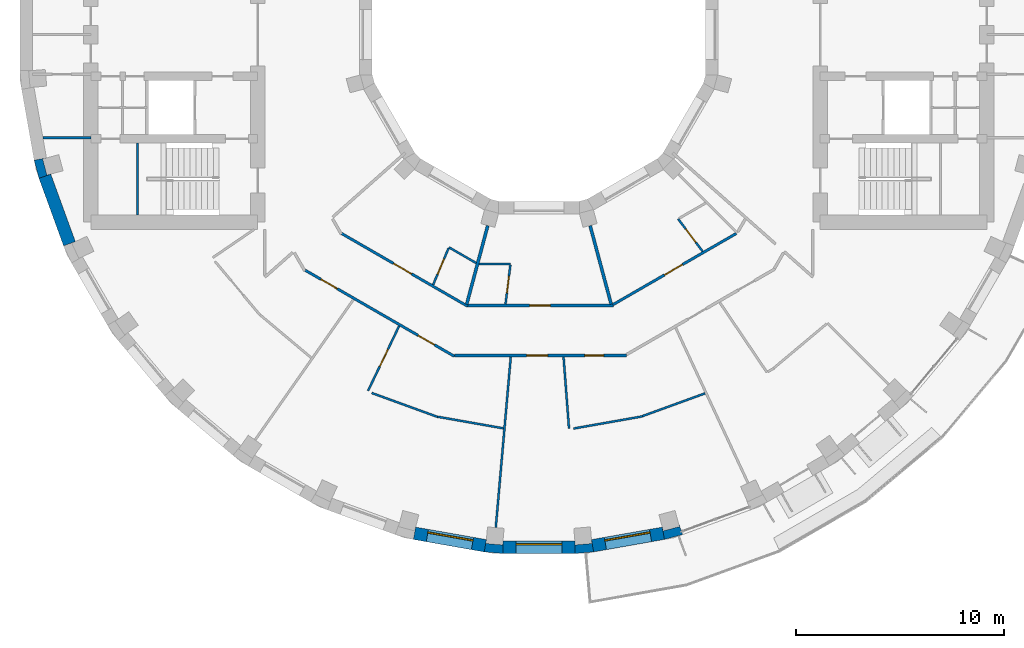
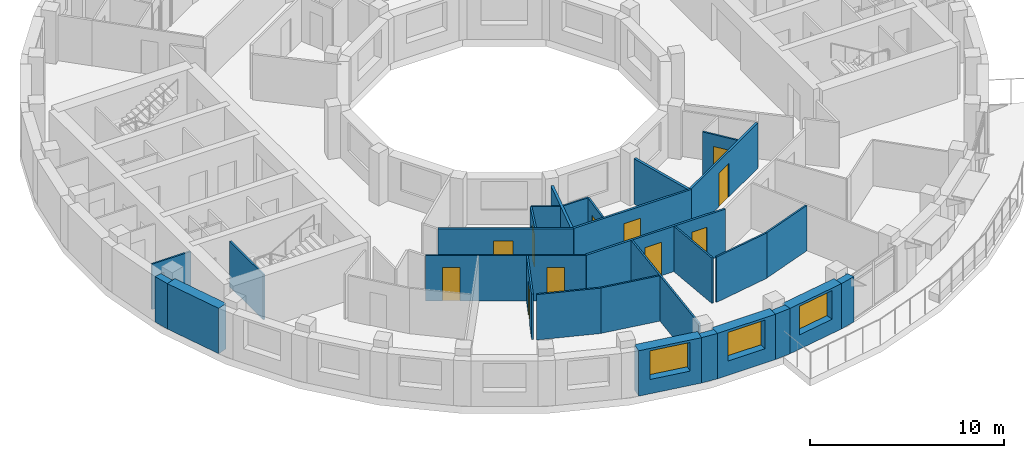
# One storey, part 6 of 15: 29 walls, 11 doors, 3 windows, 14 openings.
"""IFC4 building model written with IfcOpenShell, lengths in metres."""

from ifc_helpers import new_model, si_unit, direction, frame, frame_2d, origin, place, context, subcontext, project, spatial, polyline, rectangle, outline, extrude, material, layer, layer_set, type_object, element, fill, save


model = new_model("IFC4")

# Units and contexts
model_context = context("Model", 3, precision=1e-05, world=origin(), true_north=direction((0.0, 1.0)))
body_context = subcontext(model_context, "Body", "Model", "MODEL_VIEW")
ifc_project = project(units=[si_unit("LENGTHUNIT", "METRE"), si_unit("AREAUNIT", "SQUARE_METRE"), si_unit("VOLUMEUNIT", "CUBIC_METRE"), si_unit("PLANEANGLEUNIT", "RADIAN"), si_unit("MASSUNIT", "GRAM", prefix="KILO")], contexts=[model_context])

# Site, building, storey
site_placement = place(None, origin())
site = spatial("IfcSite", under=ifc_project, at=site_placement, CompositionType="ELEMENT")
building_placement = place(site_placement, origin())
building = spatial("IfcBuilding", under=site, at=building_placement, Name="Saqina Gate Tower", CompositionType="ELEMENT")
storey_placement = place(building_placement, frame((0.0, 0.0, 164.10009765625)))
storey = spatial("IfcBuildingStorey", under=building, at=storey_placement, Name="L46", CompositionType="ELEMENT", Elevation=164.10009765625)

# Walls
ifc_material_1 = material(Name="Brick masonry (buff)", Category="masonry")
wall_type_1 = type_object("IfcWallType", Name="BRICK PIER COPING BUFF", PredefinedType="SOLIDWALL", material=ifc_material_1)
wall_1_placement = place(storey_placement, origin())
element("IfcWall", 1, at=wall_1_placement, inside=storey, type_object=wall_type_1, Name="Pier cap L46 column 20", PredefinedType="SOLIDWALL", context=body_context, shape_type="SweptSolid", body=[
    extrude(outline(polyline([(-24.22705078125, -6.0234375), (-23.992919921875, -6.897216796875), (-23.428955078125, -6.69189453125), (-23.610107421875, -6.740478515625), (-23.81689453125, -5.967529296875), (-23.635986328125, -5.919189453125), (-24.22705078125, -6.0234375)])), origin(), (0.0, 0.0, 1.0), 2.849853515625),
])
wall_2_placement = place(storey_placement, origin())
element("IfcWall", 2, at=wall_2_placement, inside=storey, type_object=wall_type_1, Name="Pier cap L46 column 27", PredefinedType="SOLIDWALL", context=body_context, shape_type="SweptSolid", body=[
    extrude(outline(polyline([(-2.6259765625, -24.825927734375), (-1.724853515625, -24.90478515625), (-1.724853515625, -24.304931640625), (-1.7412109375, -24.491455078125), (-2.5380859375, -24.421630859375), (-2.521728515625, -24.235107421875), (-2.6259765625, -24.825927734375)])), origin(), (0.0, 0.0, 1.0), 2.849853515625),
])
wall_3_placement = place(storey_placement, origin())
element("IfcWall", 3, at=wall_3_placement, inside=storey, type_object=wall_type_1, Name="Pier cap L46 column 28", PredefinedType="SOLIDWALL", context=body_context, shape_type="SweptSolid", body=[
    extrude(outline(polyline([(1.724853515625, -24.90478515625), (2.6259765625, -24.825927734375), (2.521728515625, -24.235107421875), (2.5380859375, -24.421630859375), (1.7412109375, -24.491455078125), (1.724853515625, -24.304931640625), (1.724853515625, -24.90478515625)])), origin(), (0.0, 0.0, 1.0), 2.849853515625),
])
wall_4_placement = place(storey_placement, origin())
element("IfcWall", 4, at=wall_4_placement, inside=storey, type_object=wall_type_1, Name="Pier cap L46 column 29", PredefinedType="SOLIDWALL", context=body_context, shape_type="SweptSolid", body=[
    extrude(outline(polyline([(6.0234375, -24.22705078125), (6.897216796875, -23.992919921875), (6.69189453125, -23.428955078125), (6.740478515625, -23.610107421875), (5.967529296875, -23.81689453125), (5.919189453125, -23.635986328125), (6.0234375, -24.22705078125)])), origin(), (0.0, 0.0, 1.0), 2.849853515625),
])
ifc_material_2 = material(Name="Gypsum board on steel studs", Category="steel")
ifc_layer_1 = layer(ifc_material_2, 0.10009765625)
ifc_layer_set_1 = layer_set([ifc_layer_1], Name="CORE PARTITION")
wall_type_2 = type_object("IfcWallType", Name="CORE PARTITION", PredefinedType="PARTITIONING", material=ifc_layer_set_1)
wall_5_placement = place(storey_placement, frame((-21.5, -4.949951171875, 0.0), z_axis=(0.0, 0.0, 1.0), x_axis=(-1.0, 0.0, 0.0)))
element("IfcWall", 5, at=wall_5_placement, inside=storey, type_object=wall_type_2, Name="L46-CP-W03", PredefinedType="PARTITIONING", context=body_context, shape_type="SweptSolid", body=[
    extrude(rectangle(XDim=2.306884765625, YDim=0.10009765625, at=frame_2d((1.1533203125, 0.0))), origin(), (0.0, 0.0, 1.0), 2.849853515625),
])

# Wall, opening, window
ifc_material_3 = material(Name="Brick masonry (buff)", Category="masonry")
ifc_layer_2 = layer(ifc_material_3, 0.60009765625)
ifc_layer_set_2 = layer_set([ifc_layer_2], Name="FW-BRICK-BUFF")
wall_type_3 = type_object("IfcWallType", Name="FW-BRICK-BUFF", PredefinedType="SOLIDWALL", material=ifc_layer_set_2)
wall_6_placement = place(storey_placement, frame((-5.97119140625, -23.931640625, 0.0), z_axis=(0.0, 0.0, 1.0), x_axis=(0.984814892183, -0.173607684551, 0.0)))
wall_6 = element("IfcWall", 6, at=wall_6_placement, inside=storey, type_object=wall_type_3, Name="Facade wall L46 facet 26", PredefinedType="SOLIDWALL", context=body_context, shape_type="SweptSolid", body=[
    extrude(rectangle(XDim=3.44970703125, YDim=0.60009765625, at=frame_2d((1.724853515625, 0.0))), origin(), (0.0, 0.0, 1.0), 2.849853515625),
])
opening_1_placement = place(wall_6_placement, frame((0.625, 0.0, 0.89990234375)))
opening_1 = element("IfcOpeningElement", 7, at=opening_1_placement, cuts=wall_6, Name="Opening G13-W19", PredefinedType="OPENING", context=body_context, shape_type="SweptSolid", body=[
    extrude(rectangle(XDim=2.199951171875, YDim=1.800048828125, at=frame_2d((1.10009765625, 0.89990234375))), frame((0.0, 0.31201171875, 0.0), z_axis=(0.0, -1.0, 0.0), x_axis=(1.0, 0.0, 0.0)), (0.0, 0.0, 1.0), 0.6240234375),
])
ifc_material_4 = material(Name="Aluminium glazing", Category="aluminium")
window_type = type_object("IfcWindowType", Name="WN-C", PartitioningType="SINGLE_PANEL", PredefinedType="WINDOW", material=ifc_material_4)
window_1_placement = place(opening_1_placement, origin())
window_1 = element("IfcWindow", 8, at=window_1_placement, inside=storey, type_object=window_type, Name="Window L46 facet 26", OverallHeight=1.800048828125, OverallWidth=2.199951171875, PartitioningType="SINGLE_PANEL", PredefinedType="WINDOW", context=body_context, shape_type="SweptSolid", body=[
    extrude(rectangle(XDim=2.199951171875, YDim=1.800048828125, at=frame_2d((1.10009765625, 0.89990234375))), frame((0.0, 0.179931640625, 0.0), z_axis=(0.0, -1.0, 0.0), x_axis=(1.0, 0.0, 0.0)), (0.0, 0.0, 1.0), 0.06005859375),
])
fill(opening_1, window_1)

wall_7_placement = place(storey_placement, frame((-1.724853515625, -24.60498046875, 0.0), z_axis=(0.0, 0.0, 1.0), x_axis=(1.0, 0.0, 0.0)))
wall_7 = element("IfcWall", 9, at=wall_7_placement, inside=storey, type_object=wall_type_3, Name="Facade wall L46 facet 27", PredefinedType="SOLIDWALL", context=body_context, shape_type="SweptSolid", body=[
    extrude(rectangle(XDim=3.44970703125, YDim=0.60009765625, at=frame_2d((1.724853515625, 0.0))), origin(), (0.0, 0.0, 1.0), 2.849853515625),
])
opening_2_placement = place(wall_7_placement, frame((0.625, 0.0, 0.89990234375)))
opening_2 = element("IfcOpeningElement", 10, at=opening_2_placement, cuts=wall_7, Name="Opening G13-W20", PredefinedType="OPENING", context=body_context, shape_type="SweptSolid", body=[
    extrude(rectangle(XDim=2.199951171875, YDim=1.800048828125, at=frame_2d((1.10009765625, 0.89990234375))), frame((0.0, 0.31201171875, 0.0), z_axis=(0.0, -1.0, 0.0), x_axis=(1.0, 0.0, 0.0)), (0.0, 0.0, 1.0), 0.6240234375),
])
window_2_placement = place(opening_2_placement, origin())
window_2 = element("IfcWindow", 11, at=window_2_placement, inside=storey, type_object=window_type, Name="Window L46 facet 27", OverallHeight=1.800048828125, OverallWidth=2.199951171875, PartitioningType="SINGLE_PANEL", PredefinedType="WINDOW", context=body_context, shape_type="SweptSolid", body=[
    extrude(rectangle(XDim=2.199951171875, YDim=1.800048828125, at=frame_2d((1.10009765625, 0.89990234375))), frame((0.0, 0.179931640625, 0.0), z_axis=(0.0, -1.0, 0.0), x_axis=(1.0, 0.0, 0.0)), (0.0, 0.0, 1.0), 0.06005859375),
])
fill(opening_2, window_2)

wall_8_placement = place(storey_placement, frame((2.573974609375, -24.530517578125, 0.0), z_axis=(0.0, 0.0, 1.0), x_axis=(0.984814892183, 0.173607684551, 0.0)))
wall_8 = element("IfcWall", 12, at=wall_8_placement, inside=storey, type_object=wall_type_3, Name="Facade wall L46 facet 28", PredefinedType="SOLIDWALL", context=body_context, shape_type="SweptSolid", body=[
    extrude(rectangle(XDim=3.44970703125, YDim=0.60009765625, at=frame_2d((1.724853515625, 0.0))), origin(), (0.0, 0.0, 1.0), 2.849853515625),
])
opening_3_placement = place(wall_8_placement, frame((0.625, 0.0, 0.89990234375)))
opening_3 = element("IfcOpeningElement", 13, at=opening_3_placement, cuts=wall_8, Name="Opening G13-W21", PredefinedType="OPENING", context=body_context, shape_type="SweptSolid", body=[
    extrude(rectangle(XDim=2.199951171875, YDim=1.800048828125, at=frame_2d((1.10009765625, 0.89990234375))), frame((0.0, 0.31201171875, 0.0), z_axis=(0.0, -1.0, 0.0), x_axis=(1.0, 0.0, 0.0)), (0.0, 0.0, 1.0), 0.6240234375),
])
window_3_placement = place(opening_3_placement, origin())
window_3 = element("IfcWindow", 14, at=window_3_placement, inside=storey, type_object=window_type, Name="Window L46 facet 28", OverallHeight=1.800048828125, OverallWidth=2.199951171875, PartitioningType="SINGLE_PANEL", PredefinedType="WINDOW", context=body_context, shape_type="SweptSolid", body=[
    extrude(rectangle(XDim=2.199951171875, YDim=1.800048828125, at=frame_2d((1.10009765625, 0.89990234375))), frame((0.0, 0.179931640625, 0.0), z_axis=(0.0, -1.0, 0.0), x_axis=(1.0, 0.0, 0.0)), (0.0, 0.0, 1.0), 0.06005859375),
])
fill(opening_3, window_3)

# Walls
ifc_material_5 = material(Name="Glazed ceramic tile (dark blue)", Category="ceramic")
ifc_layer_3 = layer(ifc_material_5, 0.60009765625)
ifc_layer_set_3 = layer_set([ifc_layer_3], Name="FW-TILE-CB")
wall_type_4 = type_object("IfcWallType", Name="FW-TILE-CB", PredefinedType="SOLIDWALL", material=ifc_layer_set_3)
wall_9_placement = place(storey_placement, frame((-23.7109375, -6.79443359375, 0.0), z_axis=(0.0, 0.0, 1.0), x_axis=(0.342032843455, -0.93968799822, 0.0)))
element("IfcWall", 15, at=wall_9_placement, inside=storey, type_object=wall_type_4, Name="Facade wall L46 facet 20", PredefinedType="SOLIDWALL", context=body_context, shape_type="SweptSolid", body=[
    extrude(rectangle(XDim=3.44970703125, YDim=0.60009765625, at=frame_2d((1.724853515625, 0.0))), origin(), (0.0, 0.0, 1.0), 2.849853515625),
])
ifc_material_6 = material(Name="Gypsum board on steel studs, 100 mm", Category="steel")
ifc_layer_4 = layer(ifc_material_6, 0.10009765625)
ifc_layer_set_4 = layer_set([ifc_layer_4], Name="PARTITION 100")
wall_type_5 = type_object("IfcWallType", Name="PARTITION 100", PredefinedType="PARTITIONING", material=ifc_layer_set_4)
wall_10_placement = place(storey_placement, frame((1.1806640625, -15.46240234375, 0.0), z_axis=(0.0, 0.0, 1.0), x_axis=(0.07601515228, -0.997106662611, 0.0)))
element("IfcWall", 16, at=wall_10_placement, inside=storey, type_object=wall_type_5, Name="PARTITION PW3-02", PredefinedType="PARTITIONING", context=body_context, shape_type="SweptSolid", body=[
    extrude(rectangle(XDim=3.45263671875, YDim=0.10009765625, at=frame_2d((1.726318359375, 0.0))), origin(), (0.0, 0.0, 1.0), 2.849853515625),
])

# Wall, opening, door
wall_11_placement = place(storey_placement, frame((6.680908203125, -8.843994140625, 0.0), z_axis=(0.0, 0.0, 1.0), x_axis=(0.602656270697, -0.798000889341, 0.0)))
wall_11 = element("IfcWall", 17, at=wall_11_placement, inside=storey, type_object=wall_type_5, Name="PARTITION PW3-14", PredefinedType="PARTITIONING", context=body_context, shape_type="SweptSolid", body=[
    extrude(rectangle(XDim=1.953369140625, YDim=0.10009765625, at=frame_2d((0.9765625, 0.0))), origin(), (0.0, 0.0, 1.0), 2.849853515625),
])
opening_4_placement = place(wall_11_placement, frame((0.608154296875, 0.0, 0.0)))
opening_4 = element("IfcOpeningElement", 18, at=opening_4_placement, cuts=wall_11, Name="Opening G13-D39", PredefinedType="OPENING", context=body_context, shape_type="SweptSolid", body=[
    extrude(rectangle(XDim=0.800048828125, YDim=2.10009765625, at=frame_2d((0.39990234375, 1.050048828125))), frame((0.0, 0.06201171875, 0.0), z_axis=(0.0, -1.0, 0.0), x_axis=(1.0, 0.0, 0.0)), (0.0, 0.0, 1.0), 0.1240234375),
])
ifc_material_7 = material(Name="Timber door leaf, 800 mm", Category="wood")
door_type_1 = type_object("IfcDoorType", Name="DOOR 800 TIMBER", OperationType="SINGLE_SWING_LEFT", PredefinedType="DOOR", material=ifc_material_7)
door_1_placement = place(opening_4_placement, frame((0.800048828125, 0.0, 0.0), z_axis=(0.0, 0.0, 1.0), x_axis=(-1.0, 0.0, 0.0)))
door_1 = element("IfcDoor", 19, at=door_1_placement, inside=storey, type_object=door_type_1, Name="DOOR G13-D39", OperationType="SINGLE_SWING_LEFT", OverallHeight=2.10009765625, OverallWidth=0.800048828125, PredefinedType="DOOR", context=body_context, shape_type="SweptSolid", body=[
    extrude(rectangle(XDim=0.800048828125, YDim=2.10009765625, at=frame_2d((0.39990234375, 1.050048828125))), frame((0.0, 0.02490234375, 0.0), z_axis=(0.0, -1.0, 0.0), x_axis=(1.0, 0.0, 0.0)), (0.0, 0.0, 1.0), 0.050048828125),
])
fill(opening_4, door_1)

# Walls
wall_12_placement = place(storey_placement, frame((-4.319091796875, -10.2080078125, 0.0), z_axis=(0.0, 0.0, 1.0), x_axis=(0.866104780601, -0.499862490111, 0.0)))
element("IfcWall", 20, at=wall_12_placement, inside=storey, type_object=wall_type_5, Name="PARTITION PW3-23", PredefinedType="PARTITIONING", context=body_context, shape_type="SweptSolid", body=[
    extrude(rectangle(XDim=1.50927734375, YDim=0.10009765625, at=frame_2d((0.754638671875, 0.0))), origin(), (0.0, 0.0, 1.0), 2.849853515625),
])
wall_13_placement = place(storey_placement, frame((-8.02001953125, -17.198974609375, 0.0), z_axis=(0.0, 0.0, 1.0), x_axis=(0.939708490433, -0.341976538681, 0.0)))
element("IfcWall", 21, at=wall_13_placement, inside=storey, type_object=wall_type_5, Name="PARTITION PW3-27", PredefinedType="PARTITIONING", context=body_context, shape_type="SweptSolid", body=[
    extrude(rectangle(XDim=3.358154296875, YDim=0.10009765625, at=frame_2d((1.67919921875, 0.0))), origin(), (0.0, 0.0, 1.0), 2.849853515625),
])
wall_14_placement = place(storey_placement, frame((-4.86279296875, -18.338623046875, 0.0), z_axis=(0.0, 0.0, 1.0), x_axis=(0.984782026727, -0.173794015534, 0.0)))
element("IfcWall", 22, at=wall_14_placement, inside=storey, type_object=wall_type_5, Name="PARTITION PW3-30", PredefinedType="PARTITIONING", context=body_context, shape_type="SweptSolid", body=[
    extrude(rectangle(XDim=3.20849609375, YDim=0.10009765625, at=frame_2d((1.604248046875, 0.0))), origin(), (0.0, 0.0, 1.0), 2.849853515625),
])
wall_15_placement = place(storey_placement, frame((-2.8720703125, -11.0, 0.0), z_axis=(0.0, 0.0, 1.0), x_axis=(1.0, 0.0, 0.0)))
element("IfcWall", 23, at=wall_15_placement, inside=storey, type_object=wall_type_5, Name="PARTITION PW3-33", PredefinedType="PARTITIONING", context=body_context, shape_type="SweptSolid", body=[
    extrude(rectangle(XDim=1.508056640625, YDim=0.10009765625, at=frame_2d((0.75390625, 0.0))), origin(), (0.0, 0.0, 1.0), 2.849853515625),
])
wall_16_placement = place(storey_placement, frame((1.654052734375, -18.905029296875, 0.0), z_axis=(0.0, 0.0, 1.0), x_axis=(0.984783558818, 0.173785333909, 0.0)))
element("IfcWall", 24, at=wall_16_placement, inside=storey, type_object=wall_type_5, Name="PARTITION PW3-38", PredefinedType="PARTITIONING", context=body_context, shape_type="SweptSolid", body=[
    extrude(rectangle(XDim=3.35888671875, YDim=0.10009765625, at=frame_2d((1.679443359375, 0.0))), origin(), (0.0, 0.0, 1.0), 2.849853515625),
])
wall_17_placement = place(storey_placement, frame((4.958984375, -18.31298828125, 0.0), z_axis=(0.0, 0.0, 1.0), x_axis=(0.939697820391, 0.34200585719, 0.0)))
element("IfcWall", 25, at=wall_17_placement, inside=storey, type_object=wall_type_5, Name="PARTITION PW3-41", PredefinedType="PARTITIONING", context=body_context, shape_type="SweptSolid", body=[
    extrude(rectangle(XDim=3.207275390625, YDim=0.10009765625, at=frame_2d((1.603515625, 0.0))), origin(), (0.0, 0.0, 1.0), 2.849853515625),
])

# Wall, opening, door
wall_18_placement = place(storey_placement, frame((-8.201904296875, -17.093994140625, 0.0), z_axis=(0.0, 0.0, 1.0), x_axis=(0.432471241397, 0.901647727976, 0.0)))
wall_18 = element("IfcWall", 26, at=wall_18_placement, inside=storey, type_object=wall_type_5, Name="PARTITION PW3-56", PredefinedType="PARTITIONING", context=body_context, shape_type="SweptSolid", body=[
    extrude(rectangle(XDim=3.4521484375, YDim=0.10009765625, at=frame_2d((1.72607421875, 0.0))), origin(), (0.0, 0.0, 1.0), 2.849853515625),
])
opening_5_placement = place(wall_18_placement, frame((1.307373046875, 0.0, 0.0)))
opening_5 = element("IfcOpeningElement", 27, at=opening_5_placement, cuts=wall_18, Name="Opening G13-D30", PredefinedType="OPENING", context=body_context, shape_type="SweptSolid", body=[
    extrude(rectangle(XDim=0.89990234375, YDim=2.10009765625, at=frame_2d((0.449951171875, 1.050048828125))), frame((0.0, 0.06201171875, 0.0), z_axis=(0.0, -1.0, 0.0), x_axis=(1.0, 0.0, 0.0)), (0.0, 0.0, 1.0), 0.1240234375),
])
ifc_material_8 = material(Name="Timber door leaf, 900 mm", Category="wood")
door_type_2 = type_object("IfcDoorType", Name="DOOR 900 TIMBER", OperationType="SINGLE_SWING_LEFT", PredefinedType="DOOR", material=ifc_material_8)
door_2_placement = place(opening_5_placement, origin())
door_2 = element("IfcDoor", 28, at=door_2_placement, inside=storey, type_object=door_type_2, Name="DOOR G13-D30", OperationType="SINGLE_SWING_RIGHT", OverallHeight=2.10009765625, OverallWidth=0.89990234375, PredefinedType="DOOR", context=body_context, shape_type="SweptSolid", body=[
    extrude(rectangle(XDim=0.89990234375, YDim=2.10009765625, at=frame_2d((0.449951171875, 1.050048828125))), frame((0.0, 0.02490234375, 0.0), z_axis=(0.0, -1.0, 0.0), x_axis=(1.0, 0.0, 0.0)), (0.0, 0.0, 1.0), 0.050048828125),
])
fill(opening_5, door_2)

wall_19_placement = place(storey_placement, frame((-5.07958984375, -12.00634765625, 0.0), z_axis=(0.0, 0.0, 1.0), x_axis=(0.389593941569, 0.920986732094, 0.0)))
wall_19 = element("IfcWall", 29, at=wall_19_placement, inside=storey, type_object=wall_type_5, Name="PARTITION PW3-58", PredefinedType="PARTITIONING", context=body_context, shape_type="SweptSolid", body=[
    extrude(rectangle(XDim=1.902587890625, YDim=0.10009765625, at=frame_2d((0.951171875, 0.0))), origin(), (0.0, 0.0, 1.0), 2.849853515625),
])
opening_6_placement = place(wall_19_placement, frame((0.545166015625, 0.0, 0.0)))
opening_6 = element("IfcOpeningElement", 30, at=opening_6_placement, cuts=wall_19, Name="Opening G13-D31", PredefinedType="OPENING", context=body_context, shape_type="SweptSolid", body=[
    extrude(rectangle(XDim=0.800048828125, YDim=2.10009765625, at=frame_2d((0.39990234375, 1.050048828125))), frame((0.0, 0.06201171875, 0.0), z_axis=(0.0, -1.0, 0.0), x_axis=(1.0, 0.0, 0.0)), (0.0, 0.0, 1.0), 0.1240234375),
])
door_3_placement = place(opening_6_placement, origin())
door_3 = element("IfcDoor", 31, at=door_3_placement, inside=storey, type_object=door_type_1, Name="DOOR G13-D31", OperationType="SINGLE_SWING_LEFT", OverallHeight=2.10009765625, OverallWidth=0.800048828125, PredefinedType="DOOR", context=body_context, shape_type="SweptSolid", body=[
    extrude(rectangle(XDim=0.800048828125, YDim=2.10009765625, at=frame_2d((0.39990234375, 1.050048828125))), frame((0.0, 0.02490234375, 0.0), z_axis=(0.0, -1.0, 0.0), x_axis=(1.0, 0.0, 0.0)), (0.0, 0.0, 1.0), 0.050048828125),
])
fill(opening_6, door_3)

wall_20_placement = place(storey_placement, frame((-1.604248046875, -12.93798828125, 0.0), z_axis=(0.0, 0.0, 1.0), x_axis=(0.123039852559, 0.992401730491, 0.0)))
wall_20 = element("IfcWall", 32, at=wall_20_placement, inside=storey, type_object=wall_type_5, Name="PARTITION PW3-62", PredefinedType="PARTITIONING", context=body_context, shape_type="SweptSolid", body=[
    extrude(rectangle(XDim=1.90283203125, YDim=0.10009765625, at=frame_2d((0.951416015625, 0.0))), origin(), (0.0, 0.0, 1.0), 2.849853515625),
])
opening_7_placement = place(wall_20_placement, frame((0.545166015625, 0.0, 0.0)))
opening_7 = element("IfcOpeningElement", 33, at=opening_7_placement, cuts=wall_20, Name="Opening G13-D33", PredefinedType="OPENING", context=body_context, shape_type="SweptSolid", body=[
    extrude(rectangle(XDim=0.800048828125, YDim=2.10009765625, at=frame_2d((0.39990234375, 1.050048828125))), frame((0.0, 0.06201171875, 0.0), z_axis=(0.0, -1.0, 0.0), x_axis=(1.0, 0.0, 0.0)), (0.0, 0.0, 1.0), 0.1240234375),
])
door_4_placement = place(opening_7_placement, frame((0.800048828125, 0.0, 0.0), z_axis=(0.0, 0.0, 1.0), x_axis=(-1.0, 0.0, 0.0)))
door_4 = element("IfcDoor", 34, at=door_4_placement, inside=storey, type_object=door_type_1, Name="DOOR G13-D33", OperationType="SINGLE_SWING_RIGHT", OverallHeight=2.10009765625, OverallWidth=0.800048828125, PredefinedType="DOOR", context=body_context, shape_type="SweptSolid", body=[
    extrude(rectangle(XDim=0.800048828125, YDim=2.10009765625, at=frame_2d((0.39990234375, 1.050048828125))), frame((0.0, 0.02490234375, 0.0), z_axis=(0.0, -1.0, 0.0), x_axis=(1.0, 0.0, 0.0)), (0.0, 0.0, 1.0), 0.050048828125),
])
fill(opening_7, door_4)

# Wall
wall_21_placement = place(storey_placement, frame((-2.071044921875, -23.6494140625, 0.0), z_axis=(0.0, 0.0, 1.0), x_axis=(0.087543554658, 0.996160692879, 0.0)))
element("IfcWall", 35, at=wall_21_placement, inside=storey, type_object=wall_type_5, Name="PARTITION PW3-63", PredefinedType="PARTITIONING", context=body_context, shape_type="SweptSolid", body=[
    extrude(rectangle(XDim=8.218505859375, YDim=0.10009765625, at=frame_2d((4.109375, 0.0))), origin(), (0.0, 0.0, 1.0), 2.849853515625),
])

# Wall, openings, doors
ifc_material_9 = material(Name="Gypsum board on steel studs, 125 mm, fire rated", Category="steel")
ifc_layer_5 = layer(ifc_material_9, 0.125)
ifc_layer_set_5 = layer_set([ifc_layer_5], Name="PARTITION EI 30 125")
wall_type_6 = type_object("IfcWallType", Name="PARTITION EI 30 125", PredefinedType="PARTITIONING", material=ifc_layer_set_5)
wall_22_placement = place(storey_placement, frame((-11.219970703125, -11.30517578125, 0.0), z_axis=(0.0, 0.0, 1.0), x_axis=(0.866074891173, -0.499914275531, 0.0)))
wall_22 = element("IfcWall", 36, at=wall_22_placement, inside=storey, type_object=wall_type_6, Name="PARTITION PW1-10", PredefinedType="PARTITIONING", context=body_context, shape_type="SweptSolid", body=[
    extrude(rectangle(XDim=8.26318359375, YDim=0.125, at=frame_2d((4.131591796875, 0.0))), origin(), (0.0, 0.0, 1.0), 2.849853515625),
])
opening_8_placement = place(wall_22_placement, frame((0.876953125, 0.0, 0.0)))
opening_8 = element("IfcOpeningElement", 37, at=opening_8_placement, cuts=wall_22, Name="Opening G13-D28", PredefinedType="OPENING", context=body_context, shape_type="SweptSolid", body=[
    extrude(rectangle(XDim=0.89990234375, YDim=2.10009765625, at=frame_2d((0.449951171875, 1.050048828125))), frame((0.0, 0.074462890625, 0.0), z_axis=(0.0, -1.0, 0.0), x_axis=(1.0, 0.0, 0.0)), (0.0, 0.0, 1.0), 0.14892578125),
])
opening_9_placement = place(wall_22_placement, frame((6.265380859375, 0.0, 0.0)))
opening_9 = element("IfcOpeningElement", 38, at=opening_9_placement, cuts=wall_22, Name="Opening G13-D32", PredefinedType="OPENING", context=body_context, shape_type="SweptSolid", body=[
    extrude(rectangle(XDim=0.89990234375, YDim=2.10009765625, at=frame_2d((0.449951171875, 1.050048828125))), frame((0.0, 0.074462890625, 0.0), z_axis=(0.0, -1.0, 0.0), x_axis=(1.0, 0.0, 0.0)), (0.0, 0.0, 1.0), 0.14892578125),
])
ifc_material_10 = material(Name="Fire door leaf EI 30, 900 mm")
door_type_3 = type_object("IfcDoorType", Name="DOOR 900 EI 30", OperationType="SINGLE_SWING_LEFT", PredefinedType="DOOR", material=ifc_material_10)
door_5_placement = place(opening_8_placement, frame((0.89990234375, 0.0, 0.0), z_axis=(0.0, 0.0, 1.0), x_axis=(-1.0, 0.0, 0.0)))
door_5 = element("IfcDoor", 39, at=door_5_placement, inside=storey, type_object=door_type_3, Name="DOOR G13-D28", OperationType="SINGLE_SWING_RIGHT", OverallHeight=2.10009765625, OverallWidth=0.89990234375, PredefinedType="DOOR", context=body_context, shape_type="SweptSolid", body=[
    extrude(rectangle(XDim=0.89990234375, YDim=2.10009765625, at=frame_2d((0.449951171875, 1.050048828125))), frame((0.0, 0.02490234375, 0.0), z_axis=(0.0, -1.0, 0.0), x_axis=(1.0, 0.0, 0.0)), (0.0, 0.0, 1.0), 0.050048828125),
])
fill(opening_8, door_5)
door_6_placement = place(opening_9_placement, frame((0.89990234375, 0.0, 0.0), z_axis=(0.0, 0.0, 1.0), x_axis=(-1.0, 0.0, 0.0)))
door_6 = element("IfcDoor", 40, at=door_6_placement, inside=storey, type_object=door_type_3, Name="DOOR G13-D32", OperationType="SINGLE_SWING_LEFT", OverallHeight=2.10009765625, OverallWidth=0.89990234375, PredefinedType="DOOR", context=body_context, shape_type="SweptSolid", body=[
    extrude(rectangle(XDim=0.89990234375, YDim=2.10009765625, at=frame_2d((0.449951171875, 1.050048828125))), frame((0.0, 0.02490234375, 0.0), z_axis=(0.0, -1.0, 0.0), x_axis=(1.0, 0.0, 0.0)), (0.0, 0.0, 1.0), 0.050048828125),
])
fill(opening_9, door_6)

# Wall, opening, door
wall_23_placement = place(storey_placement, frame((-9.462890625, -9.54833984375, 0.0), z_axis=(0.0, 0.0, 1.0), x_axis=(0.866077207726, -0.499910262205, 0.0)))
wall_23 = element("IfcWall", 41, at=wall_23_placement, inside=storey, type_object=wall_type_6, Name="PARTITION PW1-11", PredefinedType="PARTITIONING", context=body_context, shape_type="SweptSolid", body=[
    extrude(rectangle(XDim=6.976806640625, YDim=0.125, at=frame_2d((3.48828125, 0.0))), origin(), (0.0, 0.0, 1.0), 2.849853515625),
])
opening_10_placement = place(wall_23_placement, frame((2.8701171875, 0.0, 0.0)))
opening_10 = element("IfcOpeningElement", 42, at=opening_10_placement, cuts=wall_23, Name="Opening G13-D29", PredefinedType="OPENING", context=body_context, shape_type="SweptSolid", body=[
    extrude(rectangle(XDim=1.0, YDim=2.10009765625, at=frame_2d((0.5, 1.050048828125))), frame((0.0, 0.074462890625, 0.0), z_axis=(0.0, -1.0, 0.0), x_axis=(1.0, 0.0, 0.0)), (0.0, 0.0, 1.0), 0.14892578125),
])
ifc_material_11 = material(Name="Fire door leaf EI 30, 1000 mm")
door_type_4 = type_object("IfcDoorType", Name="DOOR 1000 EI 30", OperationType="SINGLE_SWING_LEFT", PredefinedType="DOOR", material=ifc_material_11)
door_7_placement = place(opening_10_placement, origin())
door_7 = element("IfcDoor", 43, at=door_7_placement, inside=storey, type_object=door_type_4, Name="DOOR G13-D29", OperationType="SINGLE_SWING_LEFT", OverallHeight=2.10009765625, OverallWidth=1.0, PredefinedType="DOOR", context=body_context, shape_type="SweptSolid", body=[
    extrude(rectangle(XDim=1.0, YDim=2.10009765625, at=frame_2d((0.5, 1.050048828125))), frame((0.0, 0.02490234375, 0.0), z_axis=(0.0, -1.0, 0.0), x_axis=(1.0, 0.0, 0.0)), (0.0, 0.0, 1.0), 0.050048828125),
])
fill(opening_10, door_7)

# Wall, openings, doors
wall_24_placement = place(storey_placement, frame((-4.0634765625, -15.39990234375, 0.0), z_axis=(0.0, 0.0, 1.0), x_axis=(1.0, 0.0, 0.0)))
wall_24 = element("IfcWall", 44, at=wall_24_placement, inside=storey, type_object=wall_type_6, Name="PARTITION PW1-17", PredefinedType="PARTITIONING", context=body_context, shape_type="SweptSolid", body=[
    extrude(rectangle(XDim=8.26171875, YDim=0.125, at=frame_2d((4.130859375, 0.0))), origin(), (0.0, 0.0, 1.0), 2.849853515625),
])
opening_11_placement = place(wall_24_placement, frame((3.47802734375, 0.0, 0.0)))
opening_11 = element("IfcOpeningElement", 45, at=opening_11_placement, cuts=wall_24, Name="Opening G13-D34", PredefinedType="OPENING", context=body_context, shape_type="SweptSolid", body=[
    extrude(rectangle(XDim=1.0, YDim=2.10009765625, at=frame_2d((0.5, 1.050048828125))), frame((0.0, 0.074462890625, 0.0), z_axis=(0.0, -1.0, 0.0), x_axis=(1.0, 0.0, 0.0)), (0.0, 0.0, 1.0), 0.14892578125),
])
opening_12_placement = place(wall_24_placement, frame((6.264404296875, 0.0, 0.0)))
opening_12 = element("IfcOpeningElement", 46, at=opening_12_placement, cuts=wall_24, Name="Opening G13-D36", PredefinedType="OPENING", context=body_context, shape_type="SweptSolid", body=[
    extrude(rectangle(XDim=0.89990234375, YDim=2.10009765625, at=frame_2d((0.449951171875, 1.050048828125))), frame((0.0, 0.074462890625, 0.0), z_axis=(0.0, -1.0, 0.0), x_axis=(1.0, 0.0, 0.0)), (0.0, 0.0, 1.0), 0.14892578125),
])
door_8_placement = place(opening_11_placement, origin())
door_8 = element("IfcDoor", 47, at=door_8_placement, inside=storey, type_object=door_type_4, Name="DOOR G13-D34", OperationType="SINGLE_SWING_LEFT", OverallHeight=2.10009765625, OverallWidth=1.0, PredefinedType="DOOR", context=body_context, shape_type="SweptSolid", body=[
    extrude(rectangle(XDim=1.0, YDim=2.10009765625, at=frame_2d((0.5, 1.050048828125))), frame((0.0, 0.02490234375, 0.0), z_axis=(0.0, -1.0, 0.0), x_axis=(1.0, 0.0, 0.0)), (0.0, 0.0, 1.0), 0.050048828125),
])
fill(opening_11, door_8)
door_9_placement = place(opening_12_placement, frame((0.89990234375, 0.0, 0.0), z_axis=(0.0, 0.0, 1.0), x_axis=(-1.0, 0.0, 0.0)))
door_9 = element("IfcDoor", 48, at=door_9_placement, inside=storey, type_object=door_type_3, Name="DOOR G13-D36", OperationType="SINGLE_SWING_LEFT", OverallHeight=2.10009765625, OverallWidth=0.89990234375, PredefinedType="DOOR", context=body_context, shape_type="SweptSolid", body=[
    extrude(rectangle(XDim=0.89990234375, YDim=2.10009765625, at=frame_2d((0.449951171875, 1.050048828125))), frame((0.0, 0.02490234375, 0.0), z_axis=(0.0, -1.0, 0.0), x_axis=(1.0, 0.0, 0.0)), (0.0, 0.0, 1.0), 0.050048828125),
])
fill(opening_12, door_9)

# Wall, opening, door
wall_25_placement = place(storey_placement, frame((-3.42041015625, -13.0, 0.0), z_axis=(0.0, 0.0, 1.0), x_axis=(1.0, 0.0, 0.0)))
wall_25 = element("IfcWall", 49, at=wall_25_placement, inside=storey, type_object=wall_type_6, Name="PARTITION PW1-18", PredefinedType="PARTITIONING", context=body_context, shape_type="SweptSolid", body=[
    extrude(rectangle(XDim=6.989990234375, YDim=0.125, at=frame_2d((3.4951171875, 0.0))), origin(), (0.0, 0.0, 1.0), 2.849853515625),
])
opening_13_placement = place(wall_25_placement, frame((2.970947265625, 0.0, 0.0)))
opening_13 = element("IfcOpeningElement", 50, at=opening_13_placement, cuts=wall_25, Name="Opening G13-D35", PredefinedType="OPENING", context=body_context, shape_type="SweptSolid", body=[
    extrude(rectangle(XDim=1.0, YDim=2.10009765625, at=frame_2d((0.5, 1.050048828125))), frame((0.0, 0.074462890625, 0.0), z_axis=(0.0, -1.0, 0.0), x_axis=(1.0, 0.0, 0.0)), (0.0, 0.0, 1.0), 0.14892578125),
])
door_10_placement = place(opening_13_placement, origin())
door_10 = element("IfcDoor", 51, at=door_10_placement, inside=storey, type_object=door_type_4, Name="DOOR G13-D35", OperationType="SINGLE_SWING_LEFT", OverallHeight=2.10009765625, OverallWidth=1.0, PredefinedType="DOOR", context=body_context, shape_type="SweptSolid", body=[
    extrude(rectangle(XDim=1.0, YDim=2.10009765625, at=frame_2d((0.5, 1.050048828125))), frame((0.0, 0.02490234375, 0.0), z_axis=(0.0, -1.0, 0.0), x_axis=(1.0, 0.0, 0.0)), (0.0, 0.0, 1.0), 0.050048828125),
])
fill(opening_13, door_10)

wall_26_placement = place(storey_placement, frame((3.5478515625, -12.96240234375, 0.0), z_axis=(0.0, 0.0, 1.0), x_axis=(0.866078638394, 0.499907783615, 0.0)))
wall_26 = element("IfcWall", 52, at=wall_26_placement, inside=storey, type_object=wall_type_6, Name="PARTITION PW1-25", PredefinedType="PARTITIONING", context=body_context, shape_type="SweptSolid", body=[
    extrude(rectangle(XDim=6.842041015625, YDim=0.125, at=frame_2d((3.4208984375, 0.0))), origin(), (0.0, 0.0, 1.0), 2.849853515625),
])
opening_14_placement = place(wall_26_placement, frame((2.857666015625, 0.0, 0.0)))
opening_14 = element("IfcOpeningElement", 53, at=opening_14_placement, cuts=wall_26, Name="Opening G13-D38", PredefinedType="OPENING", context=body_context, shape_type="SweptSolid", body=[
    extrude(rectangle(XDim=1.0, YDim=2.10009765625, at=frame_2d((0.5, 1.050048828125))), frame((0.0, 0.074462890625, 0.0), z_axis=(0.0, -1.0, 0.0), x_axis=(1.0, 0.0, 0.0)), (0.0, 0.0, 1.0), 0.14892578125),
])
door_11_placement = place(opening_14_placement, origin())
door_11 = element("IfcDoor", 54, at=door_11_placement, inside=storey, type_object=door_type_4, Name="DOOR G13-D38", OperationType="SINGLE_SWING_LEFT", OverallHeight=2.10009765625, OverallWidth=1.0, PredefinedType="DOOR", context=body_context, shape_type="SweptSolid", body=[
    extrude(rectangle(XDim=1.0, YDim=2.10009765625, at=frame_2d((0.5, 1.050048828125))), frame((0.0, 0.02490234375, 0.0), z_axis=(0.0, -1.0, 0.0), x_axis=(1.0, 0.0, 0.0)), (0.0, 0.0, 1.0), 0.050048828125),
])
fill(opening_14, door_11)

# Walls
ifc_material_12 = material(Name="Gypsum board on steel studs, 150 mm, fire rated", Category="steel")
ifc_layer_6 = layer(ifc_material_12, 0.14990234375)
ifc_layer_set_6 = layer_set([ifc_layer_6], Name="PARTITION EI 60 150")
wall_type_7 = type_object("IfcWallType", Name="PARTITION EI 60 150", PredefinedType="PARTITIONING", material=ifc_layer_set_6)
wall_27_placement = place(storey_placement, frame((2.45703125, -9.168701171875, 0.0), z_axis=(0.0, 0.0, 1.0), x_axis=(0.258849662474, -0.965917621869, 0.0)))
element("IfcWall", 55, at=wall_27_placement, inside=storey, type_object=wall_type_7, Name="PARTITION PW2-02", PredefinedType="PARTITIONING", context=body_context, shape_type="SweptSolid", body=[
    extrude(rectangle(XDim=3.90380859375, YDim=0.14990234375, at=frame_2d((1.951904296875, 0.0))), origin(), (0.0, 0.0, 1.0), 2.849853515625),
])
wall_28_placement = place(storey_placement, frame((-3.466552734375, -12.939697265625, 0.0), z_axis=(0.0, 0.0, 1.0), x_axis=(0.258732959093, 0.965948888854, 0.0)))
element("IfcWall", 56, at=wall_28_placement, inside=storey, type_object=wall_type_7, Name="PARTITION PW2-04", PredefinedType="PARTITIONING", context=body_context, shape_type="SweptSolid", body=[
    extrude(rectangle(XDim=3.903564453125, YDim=0.14990234375, at=frame_2d((1.95166015625, 0.0))), origin(), (0.0, 0.0, 1.0), 2.849853515625),
])
ifc_material_13 = material(Name="Autoclaved aerated concrete block", Category="concrete")
ifc_layer_7 = layer(ifc_material_13, 0.10009765625)
ifc_layer_set_7 = layer_set([ifc_layer_7], Name="STAIR ENCLOSURE WALL")
wall_type_8 = type_object("IfcWallType", Name="STAIR ENCLOSURE WALL", PredefinedType="PARTITIONING", material=ifc_layer_set_7)
wall_29_placement = place(storey_placement, frame((-19.27001953125, -8.64990234375, 0.0), z_axis=(0.0, 0.0, 1.0), x_axis=(0.0, 1.0, 0.0)))
element("IfcWall", 57, at=wall_29_placement, inside=storey, type_object=wall_type_8, Name="L46-CP-W15", PredefinedType="PARTITIONING", context=body_context, shape_type="SweptSolid", body=[
    extrude(rectangle(XDim=3.449951171875, YDim=0.10009765625, at=frame_2d((1.72509765625, 0.0))), origin(), (0.0, 0.0, 1.0), 2.849853515625),
])

save(model, "model.ifc")
